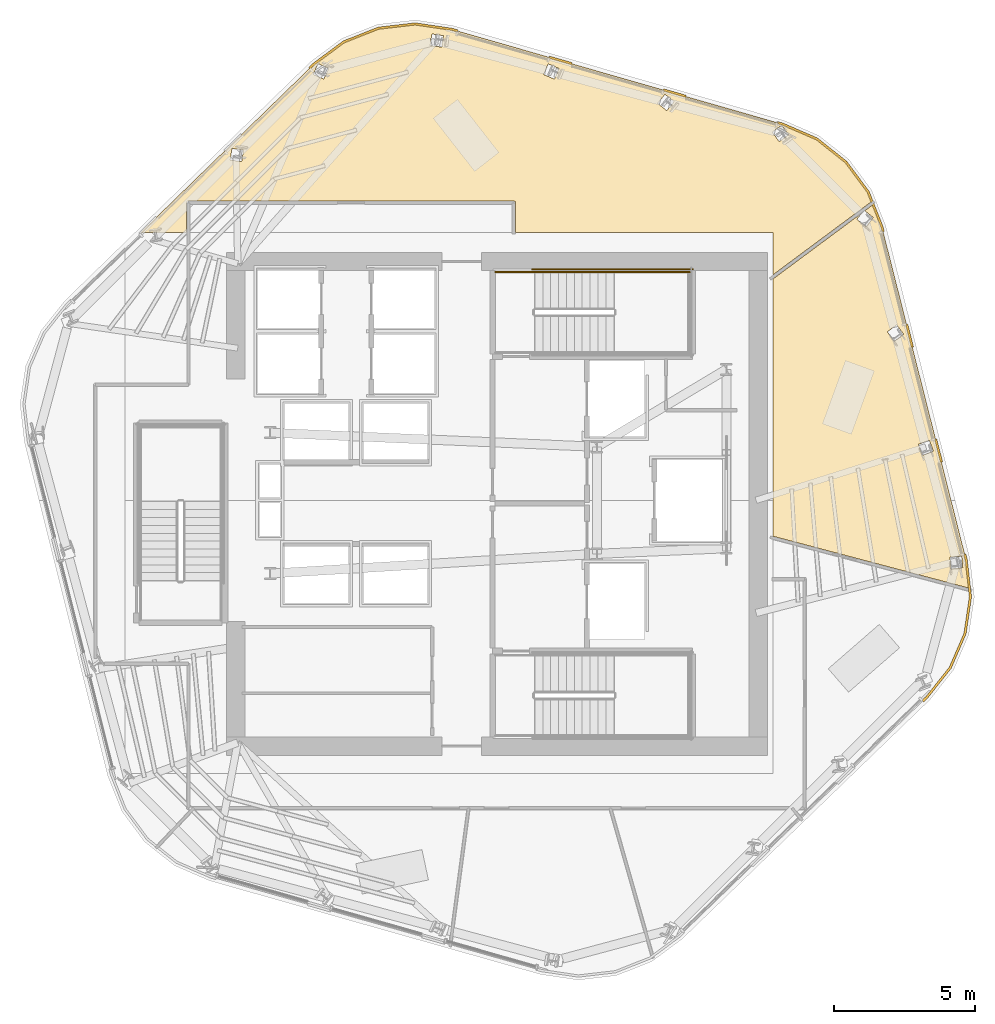
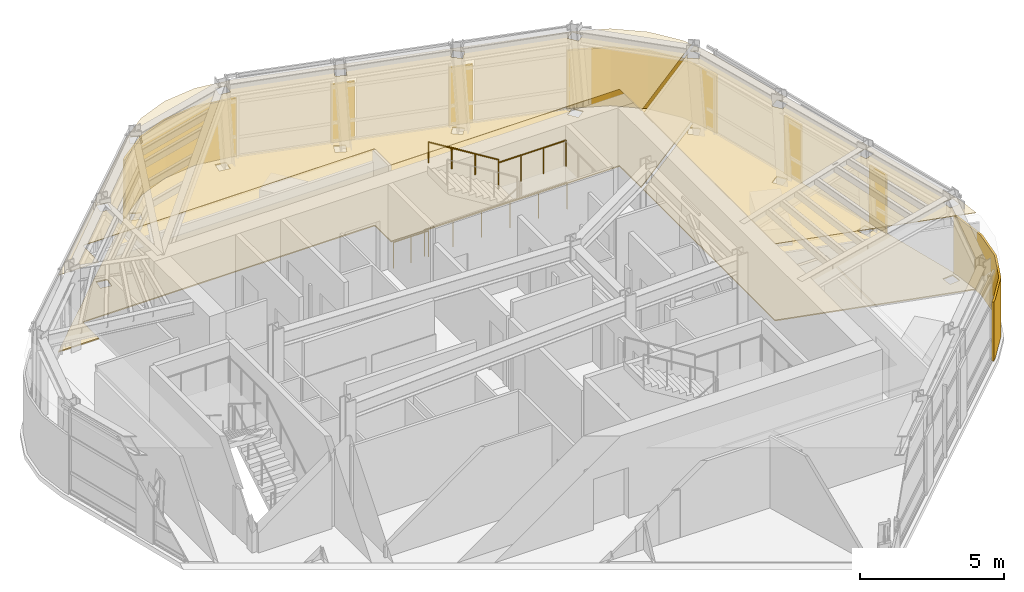
# One storey, part 13 of 14: 11 coverings, 4 railings.
"""IFC4 building model written with IfcOpenShell, lengths in metres."""

from ifc_helpers import new_model, si_unit, direction, frame, origin, origin_2d, place, context, subcontext, project, spatial, polyline, circle, outline, extrude, material, layer, layer_set, type_object, element, save


model = new_model("IFC4")

# Units and contexts
model_context = context("Model", 3, precision=1e-05, world=origin(), true_north=direction((0.0, 1.0)))
body_context = subcontext(model_context, "Body", "Model", "MODEL_VIEW")
ifc_project = project(units=[si_unit("LENGTHUNIT", "METRE"), si_unit("AREAUNIT", "SQUARE_METRE"), si_unit("VOLUMEUNIT", "CUBIC_METRE"), si_unit("PLANEANGLEUNIT", "RADIAN"), si_unit("MASSUNIT", "GRAM", prefix="KILO")], contexts=[model_context])

# Site, building, storey
site_placement = place(None, origin())
site = spatial("IfcSite", under=ifc_project, at=site_placement, CompositionType="ELEMENT")
building_placement = place(site_placement, origin())
building = spatial("IfcBuilding", under=site, at=building_placement, Name="Valkerne Bourse Tower", CompositionType="ELEMENT")
storey_placement = place(building_placement, frame((0.0, 0.0, 213.199951171875)))
storey = spatial("IfcBuildingStorey", under=building, at=storey_placement, Name="L54", CompositionType="ELEMENT", Elevation=213.199951171875)

# Coverings
ifc_material_1 = material(Name="Mineral Fiber Acoustic Ceiling Tile", Category="acoustic")
ifc_layer_1 = layer(ifc_material_1, 0.02490234375)
ifc_layer_set_1 = layer_set([ifc_layer_1], Name="Mineral Fiber Acoustic Ceiling Tile")
covering_type_1 = type_object("IfcCoveringType", Name="COV-CEIL-ACT", PredefinedType="CEILING", material=ifc_layer_set_1)
covering_1_placement = place(storey_placement, frame((0.0, 0.0, 3.25)))
element("IfcCovering", 1, at=covering_1_placement, inside=storey, type_object=covering_type_1, Name="L54 Suspended Ceiling 08", PredefinedType="CEILING", context=body_context, shape_type="SweptSolid", body=[
    extrude(outline(polyline([(59.75927734375, 37.202880859375), (59.57666015625, 36.9755859375), (59.577880859375, 36.9736328125), (59.898681640625, 36.716552734375), (60.158203125, 37.03955078125), (60.15673828125, 37.04150390625), (59.861083984375, 37.278564453125), (60.15283203125, 37.4951171875), (60.464111328125, 36.70947265625), (63.452880859375, 24.893310546875), (63.570068359375, 23.880126953125), (56.60009765625, 25.725341796875), (56.60009765625, 34.857421875), (59.75927734375, 37.202880859375)]), holes=[polyline([(63.339111328125, 24.614013671875), (63.29541015625, 25.0224609375), (62.88330078125, 24.97900390625), (62.883056640625, 24.9765625), (62.9267578125, 24.56787109375), (63.3388671875, 24.611572265625), (63.339111328125, 24.614013671875)]), polyline([(62.29638671875, 28.748291015625), (62.150390625, 29.1328125), (61.762939453125, 28.98583984375), (61.76318359375, 28.983642578125), (61.9091796875, 28.599365234375), (62.296630859375, 28.74609375), (62.29638671875, 28.748291015625)]), polyline([(61.2373046875, 32.89599609375), (60.9921875, 33.226318359375), (60.6591796875, 32.979736328125), (60.66015625, 32.977783203125), (60.905029296875, 32.6474609375), (61.238037109375, 32.89404296875), (61.2373046875, 32.89599609375)])]), origin(), (0.0, 0.0, 1.0), 0.025146484375),
])
covering_2_placement = place(storey_placement, frame((0.0, 0.0, 3.25)))
element("IfcCovering", 2, at=covering_2_placement, inside=storey, type_object=covering_type_1, Name="L54 Suspended Ceiling 10", PredefinedType="CEILING", context=body_context, shape_type="SweptSolid", body=[
    extrude(outline(polyline([(40.298095703125, 42.47509765625), (41.364990234375, 43.267333984375), (42.591796875, 43.753173828125), (43.902587890625, 43.90478515625), (45.21728515625, 43.710693359375), (56.933837890625, 40.352294921875), (58.15380859375, 39.824462890625), (59.18798828125, 39.004638671875), (59.974609375, 37.9453125), (60.10791015625, 37.60888671875), (56.60009765625, 35.004150390625), (56.60009765625, 36.5), (47.468994140625, 36.5), (47.468994140625, 37.5634765625), (47.45166015625, 37.606201171875), (47.41015625, 37.62841796875), (35.849365234375, 37.62890625), (35.80419921875, 37.61181640625), (35.787353515625, 37.589111328125), (35.781005859375, 37.560302734375), (35.781005859375, 36.5), (34.76708984375, 36.5), (34.765625, 36.514404296875), (34.638671875, 36.5), (34.152587890625, 36.5), (40.298095703125, 42.47509765625)]), holes=[polyline([(37.739990234375, 39.01953125), (37.805908203125, 39.427978515625), (37.39990234375, 39.49462890625), (37.398193359375, 39.493408203125), (37.33203125, 39.084716796875), (37.738037109375, 39.01806640625), (37.739990234375, 39.01953125)]), polyline([(40.6591796875, 41.955810546875), (40.82666015625, 42.334228515625), (40.45068359375, 42.50146484375), (40.448486328125, 42.50048828125), (40.28125, 42.1220703125), (40.656982421875, 41.954833984375), (40.6591796875, 41.955810546875)]), polyline([(44.90380859375, 43.492431640625), (44.4951171875, 43.555908203125), (44.49267578125, 43.5556640625), (44.429931640625, 43.148681640625), (44.838623046875, 43.085205078125), (44.841064453125, 43.08544921875), (44.90380859375, 43.492431640625)]), polyline([(56.910400390625, 40.311279296875), (56.90869140625, 40.3125), (56.575927734375, 40.06982421875), (56.8193359375, 39.735595703125), (56.8212890625, 39.734130859375), (57.15380859375, 39.976806640625), (56.910400390625, 40.311279296875)]), polyline([(52.77001953125, 41.41259765625), (52.76806640625, 41.413330078125), (52.507568359375, 41.09423828125), (52.827880859375, 40.83251953125), (52.829833984375, 40.83154296875), (53.090087890625, 41.150634765625), (52.77001953125, 41.41259765625)]), polyline([(49.005615234375, 42.327880859375), (48.626220703125, 42.49267578125), (48.6240234375, 42.492919921875), (48.460205078125, 42.114990234375), (48.839599609375, 41.9501953125), (48.841796875, 41.949951171875), (49.005615234375, 42.327880859375)])]), origin(), (0.0, 0.0, 1.0), 0.025146484375),
])
ifc_material_2 = material(Name="Bronze Anodised Aluminium AA 6063-T6", Category="aluminium")
ifc_layer_2 = layer(ifc_material_2, 0.06005859375)
ifc_layer_set_2 = layer_set([ifc_layer_2], Name="Bronze Anodised Aluminium AA 6063-T6")
covering_type_2 = type_object("IfcCoveringType", Name="COV-CRN-ALUM", PredefinedType="CLADDING", material=ifc_layer_set_2)
covering_3_placement = place(storey_placement, origin())
element("IfcCovering", 3, at=covering_3_placement, inside=storey, type_object=covering_type_2, Name="L54 Wind-Shaped Corner Aluminium Cladding 01", PredefinedType="CLADDING", context=body_context, shape_type="SweptSolid", body=[
    extrude(outline(polyline([(63.64990234375, 23.572509765625), (63.455322265625, 22.255615234375), (62.9267578125, 21.033935546875), (62.095947265625, 19.985595703125), (61.948486328125, 19.84326171875), (61.892822265625, 19.900634765625), (62.03662109375, 20.03955078125), (62.857421875, 21.0751953125), (63.377685546875, 22.277587890625), (63.569091796875, 23.57373046875), (63.417236328125, 24.88671875), (63.368408203125, 25.08056640625), (63.44580078125, 25.10009765625), (63.49609375, 24.901123046875), (63.64990234375, 23.572509765625)])), origin(), (0.0, 0.0, 1.0), 2.5),
])
covering_4_placement = place(storey_placement, origin())
element("IfcCovering", 4, at=covering_4_placement, inside=storey, type_object=covering_type_2, Name="L54 Wind-Shaped Corner Aluminium Cladding 13", PredefinedType="CLADDING", context=body_context, shape_type="SweptSolid", body=[
    extrude(outline(polyline([(40.26953125, 42.5087890625), (41.343505859375, 43.30615234375), (42.5810546875, 43.79638671875), (43.9033203125, 43.94921875), (45.226806640625, 43.75390625), (45.423828125, 43.697265625), (45.40185546875, 43.620361328125), (45.209716796875, 43.675537109375), (43.902099609375, 43.86865234375), (42.6005859375, 43.718017578125), (41.3828125, 43.235595703125), (40.321533203125, 42.447509765625), (40.17822265625, 42.308349609375), (40.12255859375, 42.36572265625), (40.26953125, 42.5087890625)])), origin(), (0.0, 0.0, 1.0), 2.5),
])
covering_5_placement = place(storey_placement, origin())
element("IfcCovering", 5, at=covering_5_placement, inside=storey, type_object=covering_type_2, Name="L54 Wind-Shaped Corner Aluminium Cladding 14", PredefinedType="CLADDING", context=body_context, shape_type="SweptSolid", body=[
    extrude(outline(polyline([(49.47265625, 42.53662109375), (49.45068359375, 42.459716796875), (48.643310546875, 42.69140625), (48.665283203125, 42.768310546875), (49.47265625, 42.53662109375)])), origin(), (0.0, 0.0, 1.0), 2.5),
])
covering_6_placement = place(storey_placement, origin())
element("IfcCovering", 6, at=covering_6_placement, inside=storey, type_object=covering_type_2, Name="L54 Wind-Shaped Corner Aluminium Cladding 15", PredefinedType="CLADDING", context=body_context, shape_type="SweptSolid", body=[
    extrude(outline(polyline([(53.521728515625, 41.376220703125), (53.499755859375, 41.29931640625), (52.692138671875, 41.530517578125), (52.714111328125, 41.607666015625), (53.521728515625, 41.376220703125)])), origin(), (0.0, 0.0, 1.0), 2.5),
])
covering_7_placement = place(storey_placement, origin())
element("IfcCovering", 7, at=covering_7_placement, inside=storey, type_object=covering_type_2, Name="L54 Wind-Shaped Corner Aluminium Cladding 16", PredefinedType="CLADDING", context=body_context, shape_type="SweptSolid", body=[
    extrude(outline(polyline([(56.94873046875, 40.393798828125), (58.176513671875, 39.862548828125), (59.2197265625, 39.03564453125), (60.013427734375, 37.966796875), (60.505859375, 36.722900390625), (60.55322265625, 36.535888671875), (60.4755859375, 36.516357421875), (60.4296875, 36.698486328125), (59.943115234375, 37.927734375), (59.161865234375, 38.9794921875), (58.13525390625, 39.793212890625), (56.921630859375, 40.318359375), (56.7412109375, 40.3701171875), (56.762939453125, 40.447021484375), (56.94873046875, 40.393798828125)])), origin(), (0.0, 0.0, 1.0), 2.5),
])
covering_8_placement = place(storey_placement, origin())
element("IfcCovering", 8, at=covering_8_placement, inside=storey, type_object=covering_type_2, Name="L54 Wind-Shaped Corner Aluminium Cladding 17", PredefinedType="CLADDING", context=body_context, shape_type="SweptSolid", body=[
    extrude(outline(polyline([(61.586181640625, 32.452392578125), (61.508544921875, 32.432861328125), (61.302490234375, 33.247314453125), (61.380126953125, 33.266845703125), (61.586181640625, 32.452392578125)])), origin(), (0.0, 0.0, 1.0), 2.5),
])
covering_9_placement = place(storey_placement, origin())
element("IfcCovering", 9, at=covering_9_placement, inside=storey, type_object=covering_type_2, Name="L54 Wind-Shaped Corner Aluminium Cladding 18", PredefinedType="CLADDING", context=body_context, shape_type="SweptSolid", body=[
    extrude(outline(polyline([(62.618896484375, 28.368896484375), (62.54150390625, 28.349609375), (62.33544921875, 29.163818359375), (62.4130859375, 29.183349609375), (62.618896484375, 28.368896484375)])), origin(), (0.0, 0.0, 1.0), 2.5),
])
ifc_material_3 = material(Name="Galvanised Painted Steel", Category="steel")
ifc_layer_3 = layer(ifc_material_3, 0.044921875)
ifc_layer_set_3 = layer_set([ifc_layer_3], Name="Galvanised Painted Steel")
covering_type_3 = type_object("IfcCoveringType", Name="COV-FLR-RAF", PredefinedType="FLOORING", material=ifc_layer_set_3)
covering_10_placement = place(storey_placement, origin())
element("IfcCovering", 10, at=covering_10_placement, inside=storey, type_object=covering_type_3, Name="L54 Floor Finish 08", PredefinedType="FLOORING", context=body_context, shape_type="SweptSolid", body=[
    extrude(outline(polyline([(59.75927734375, 37.202880859375), (59.57666015625, 36.9755859375), (59.577880859375, 36.9736328125), (59.898681640625, 36.716552734375), (60.158203125, 37.03955078125), (60.15673828125, 37.04150390625), (59.861083984375, 37.278564453125), (60.15283203125, 37.4951171875), (60.464111328125, 36.70947265625), (63.452880859375, 24.893310546875), (63.570068359375, 23.880126953125), (56.60009765625, 25.725341796875), (56.60009765625, 34.857421875), (59.75927734375, 37.202880859375)]), holes=[polyline([(63.339111328125, 24.614013671875), (63.29541015625, 25.0224609375), (62.88330078125, 24.97900390625), (62.883056640625, 24.9765625), (62.9267578125, 24.56787109375), (63.3388671875, 24.611572265625), (63.339111328125, 24.614013671875)]), polyline([(62.29638671875, 28.748291015625), (62.150390625, 29.1328125), (61.762939453125, 28.98583984375), (61.76318359375, 28.983642578125), (61.9091796875, 28.599365234375), (62.296630859375, 28.74609375), (62.29638671875, 28.748291015625)]), polyline([(61.2373046875, 32.89599609375), (60.9921875, 33.226318359375), (60.6591796875, 32.979736328125), (60.66015625, 32.977783203125), (60.905029296875, 32.6474609375), (61.238037109375, 32.89404296875), (61.2373046875, 32.89599609375)])]), origin(), (0.0, 0.0, 1.0), 0.045166015625),
])
covering_11_placement = place(storey_placement, origin())
element("IfcCovering", 11, at=covering_11_placement, inside=storey, type_object=covering_type_3, Name="L54 Floor Finish 10", PredefinedType="FLOORING", context=body_context, shape_type="SweptSolid", body=[
    extrude(outline(polyline([(40.298095703125, 42.47509765625), (41.364990234375, 43.267333984375), (42.591796875, 43.753173828125), (43.902587890625, 43.90478515625), (45.21728515625, 43.710693359375), (56.933837890625, 40.352294921875), (58.15380859375, 39.824462890625), (59.18798828125, 39.004638671875), (59.974609375, 37.9453125), (60.10791015625, 37.60888671875), (56.60009765625, 35.004150390625), (56.60009765625, 36.5), (47.468994140625, 36.5), (47.468994140625, 37.5634765625), (47.45166015625, 37.606201171875), (47.41015625, 37.62841796875), (35.849365234375, 37.62890625), (35.80419921875, 37.61181640625), (35.787353515625, 37.589111328125), (35.781005859375, 37.560302734375), (35.781005859375, 36.5), (34.76708984375, 36.5), (34.765625, 36.514404296875), (34.638671875, 36.5), (34.152587890625, 36.5), (40.298095703125, 42.47509765625)]), holes=[polyline([(37.739990234375, 39.01953125), (37.805908203125, 39.427978515625), (37.39990234375, 39.49462890625), (37.398193359375, 39.493408203125), (37.33203125, 39.084716796875), (37.738037109375, 39.01806640625), (37.739990234375, 39.01953125)]), polyline([(40.6591796875, 41.955810546875), (40.82666015625, 42.334228515625), (40.45068359375, 42.50146484375), (40.448486328125, 42.50048828125), (40.28125, 42.1220703125), (40.656982421875, 41.954833984375), (40.6591796875, 41.955810546875)]), polyline([(44.90380859375, 43.492431640625), (44.4951171875, 43.555908203125), (44.49267578125, 43.5556640625), (44.429931640625, 43.148681640625), (44.838623046875, 43.085205078125), (44.841064453125, 43.08544921875), (44.90380859375, 43.492431640625)]), polyline([(56.910400390625, 40.311279296875), (56.90869140625, 40.3125), (56.575927734375, 40.06982421875), (56.8193359375, 39.735595703125), (56.8212890625, 39.734130859375), (57.15380859375, 39.976806640625), (56.910400390625, 40.311279296875)]), polyline([(52.77001953125, 41.41259765625), (52.76806640625, 41.413330078125), (52.507568359375, 41.09423828125), (52.827880859375, 40.83251953125), (52.829833984375, 40.83154296875), (53.090087890625, 41.150634765625), (52.77001953125, 41.41259765625)]), polyline([(49.005615234375, 42.327880859375), (48.626220703125, 42.49267578125), (48.6240234375, 42.492919921875), (48.460205078125, 42.114990234375), (48.839599609375, 41.9501953125), (48.841796875, 41.949951171875), (49.005615234375, 42.327880859375)])]), origin(), (0.0, 0.0, 1.0), 0.045166015625),
])

# Railings
railing_type_1 = type_object("IfcRailingType", Name="RLG-ST-GUARD-1120", PredefinedType="GUARDRAIL", material=ifc_material_3)
railing_1_placement = place(storey_placement, frame((50.949951171875, 35.10009765625, 1.900146484375)))
element("IfcRailing", 12, at=railing_1_placement, inside=storey, type_object=railing_type_1, Name="L54 ST-2 stair guard 4", PredefinedType="GUARDRAIL", context=body_context, shape_type="SweptSolid", body=[
    extrude(circle(Radius=0.02392578125, at=origin_2d()), frame((0.0, 0.0, 1.09619140625), z_axis=(1.0, 0.0, 0.0), x_axis=(0.0, 1.0, 0.0)), (0.0, 0.0, 1.0), 2.699951171875),
    extrude(circle(Radius=0.02099609375, at=origin_2d()), origin(), (0.0, 0.0, 1.0), 1.072021484375),
    extrude(circle(Radius=0.02099609375, at=origin_2d()), frame((0.89990234375, 0.0, 0.0)), (0.0, 0.0, 1.0), 1.072021484375),
    extrude(circle(Radius=0.02099609375, at=origin_2d()), frame((1.800048828125, 0.0, 0.0)), (0.0, 0.0, 1.0), 1.072021484375),
    extrude(circle(Radius=0.02099609375, at=origin_2d()), frame((2.699951171875, 0.0, 0.0)), (0.0, 0.0, 1.0), 1.072021484375),
])
railing_2_placement = place(storey_placement, frame((46.75, 35.10009765625, 0.0)))
element("IfcRailing", 13, at=railing_2_placement, inside=storey, type_object=railing_type_1, Name="L54 ST-2 stair guard 9", PredefinedType="GUARDRAIL", context=body_context, shape_type="SweptSolid", body=[
    extrude(circle(Radius=0.02392578125, at=origin_2d()), frame((0.0, 0.0, 1.09619140625), z_axis=(1.0, 0.0, 0.0), x_axis=(0.0, 1.0, 0.0)), (0.0, 0.0, 1.0), 1.39990234375),
    extrude(circle(Radius=0.02099609375, at=origin_2d()), origin(), (0.0, 0.0, 1.0), 1.072021484375),
    extrude(circle(Radius=0.02099609375, at=origin_2d()), frame((0.699951171875, 0.0, 0.0)), (0.0, 0.0, 1.0), 1.072021484375),
    extrude(circle(Radius=0.02099609375, at=origin_2d()), frame((1.39990234375, 0.0, 0.0)), (0.0, 0.0, 1.0), 1.072021484375),
])
railing_3_placement = place(storey_placement, frame((48.050048828125, 35.199951171875, 0.0)))
element("IfcRailing", 14, at=railing_3_placement, inside=storey, type_object=railing_type_1, Name="L54 ST-2 stair guard 11", PredefinedType="GUARDRAIL", context=body_context, shape_type="SweptSolid", body=[
    extrude(circle(Radius=0.02392578125, at=origin_2d()), frame((0.0, 0.0, 1.09619140625), z_axis=(1.0, 0.0, 0.0), x_axis=(0.0, 1.0, 0.0)), (0.0, 0.0, 1.0), 5.699951171875),
    extrude(circle(Radius=0.02099609375, at=origin_2d()), origin(), (0.0, 0.0, 1.0), 1.072021484375),
    extrude(circle(Radius=0.02099609375, at=origin_2d()), frame((1.139892578125, 0.0, 0.0)), (0.0, 0.0, 1.0), 1.072021484375),
    extrude(circle(Radius=0.02099609375, at=origin_2d()), frame((2.280029296875, 0.0, 0.0)), (0.0, 0.0, 1.0), 1.072021484375),
    extrude(circle(Radius=0.02099609375, at=origin_2d()), frame((3.419921875, 0.0, 0.0)), (0.0, 0.0, 1.0), 1.072021484375),
    extrude(circle(Radius=0.02099609375, at=origin_2d()), frame((4.56005859375, 0.0, 0.0)), (0.0, 0.0, 1.0), 1.072021484375),
    extrude(circle(Radius=0.02099609375, at=origin_2d()), frame((5.699951171875, 0.0, 0.0)), (0.0, 0.0, 1.0), 1.072021484375),
])
ifc_material_4 = material(Name="Stainless Steel AISI 316", Category="steel")
railing_type_2 = type_object("IfcRailingType", Name="RLG-ST-HANDRAIL-900", PredefinedType="HANDRAIL", material=ifc_material_4)
railing_4_placement = place(storey_placement, frame((50.949951171875, 35.10009765625, 2.24560546875)))
element("IfcRailing", 15, at=railing_4_placement, inside=storey, type_object=railing_type_2, Name="L54 ST-2 stair handrail 2", PredefinedType="HANDRAIL", context=body_context, shape_type="SweptSolid", body=[
    extrude(circle(Radius=0.02392578125, at=origin_2d()), frame((0.0, 0.0, 0.8759765625), z_axis=(-0.851122791225, 0.0, 0.524966660138), x_axis=(0.0, -1.0, 0.0)), (0.0, 0.0, 1.0), 3.289794921875),
    extrude(circle(Radius=0.02099609375, at=origin_2d()), origin(), (0.0, 0.0, 1.0), 0.851806640625),
    extrude(circle(Radius=0.02099609375, at=origin_2d()), frame((-0.933349609375, 0.0, 0.57568359375)), (0.0, 0.0, 1.0), 0.851806640625),
    extrude(circle(Radius=0.02099609375, at=origin_2d()), frame((-1.86669921875, 0.0, 1.1513671875)), (0.0, 0.0, 1.0), 0.851806640625),
    extrude(circle(Radius=0.02099609375, at=origin_2d()), frame((-2.800048828125, 0.0, 1.72705078125)), (0.0, 0.0, 1.0), 0.851806640625),
])

save(model, "model.ifc")
